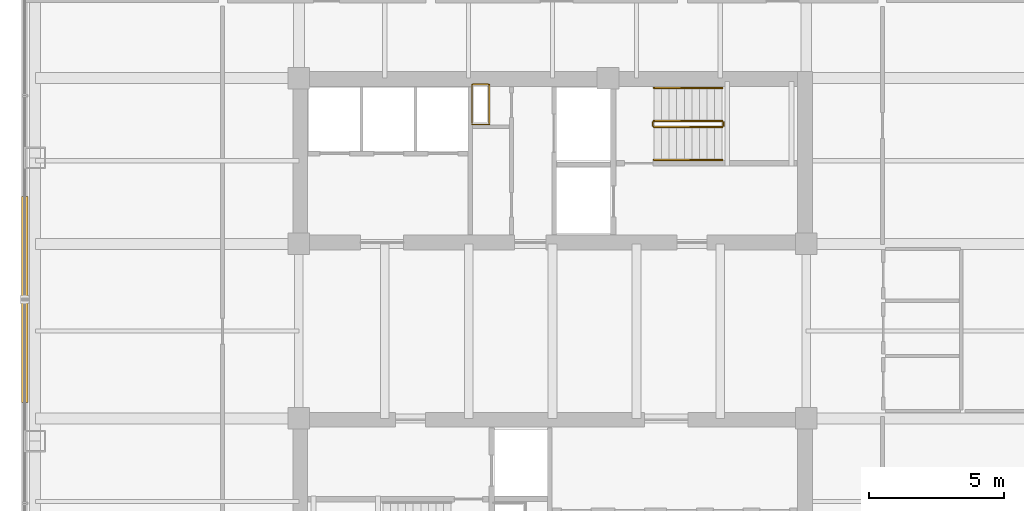
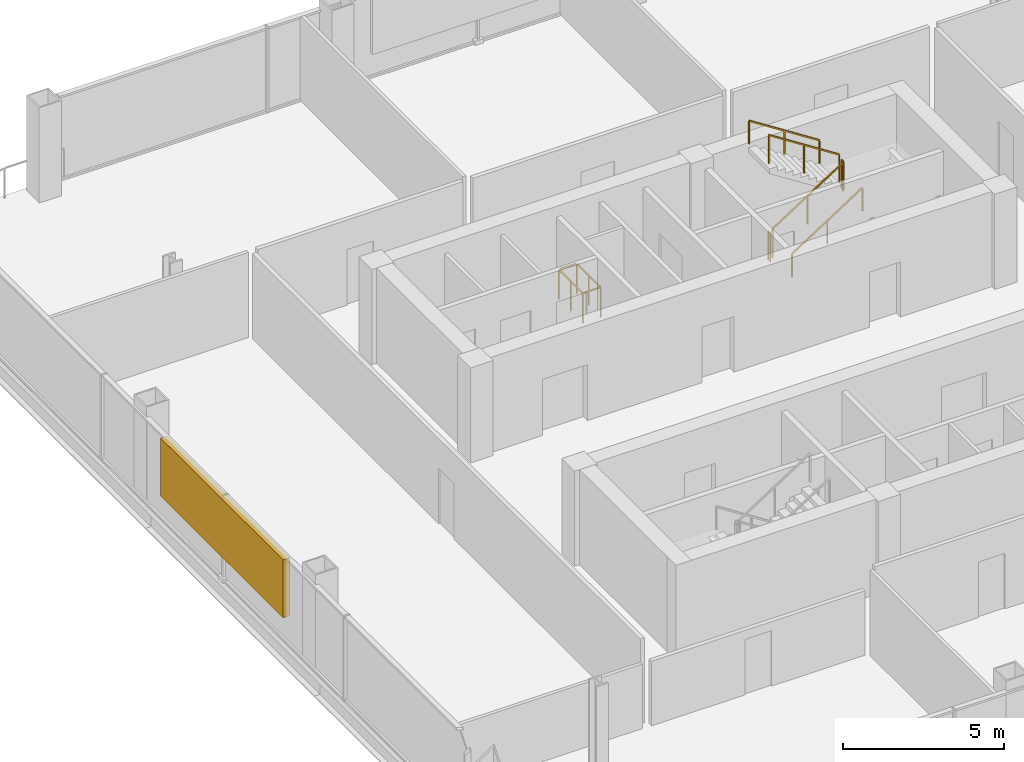
# One storey, part 23 of 24: 7 railings, 1 shading device.
"""IFC4 building model written with IfcOpenShell, lengths in metres."""

from ifc_helpers import new_model, si_unit, direction, frame, origin, origin_2d, place, context, subcontext, project, spatial, rectangle, extrude, material, type_object, element, save


model = new_model("IFC4")

# Units and contexts
model_context = context("Model", 3, precision=1e-05, world=origin(), true_north=direction((0.0, 1.0)))
body_context = subcontext(model_context, "Body", "Model", "MODEL_VIEW")
ifc_project = project(units=[si_unit("LENGTHUNIT", "METRE"), si_unit("AREAUNIT", "SQUARE_METRE"), si_unit("VOLUMEUNIT", "CUBIC_METRE"), si_unit("PLANEANGLEUNIT", "RADIAN"), si_unit("MASSUNIT", "GRAM", prefix="KILO")], contexts=[model_context])

# Site, building, storey
site_placement = place(None, origin())
site = spatial("IfcSite", under=ifc_project, at=site_placement, CompositionType="ELEMENT")
building_placement = place(site_placement, origin())
building = spatial("IfcBuilding", under=site, at=building_placement, Name="Qhalaya Broadcast Tower", CompositionType="ELEMENT")
storey_placement = place(building_placement, frame((0.0, 0.0, 61.5)))
storey = spatial("IfcBuildingStorey", under=building, at=storey_placement, Name="L17", CompositionType="ELEMENT", Elevation=61.5)

# Railings
ifc_material_1 = material(Name="Powder-Coated Galvanised Steel", Category="steel")
railing_type_1 = type_object("IfcRailingType", Name="Stair Wall Handrail 900", PredefinedType="HANDRAIL", material=ifc_material_1)
railing_1_placement = place(storey_placement, frame((3.75, 6.929931640625, 0.179931640625)))
element("IfcRailing", 1, at=railing_1_placement, inside=storey, type_object=railing_type_1, Name="L17 ST-1 Stair Handrail 1", PredefinedType="HANDRAIL", context=body_context, shape_type="SweptSolid", body=[
    extrude(rectangle(XDim=0.048095703125, YDim=0.048095703125, at=origin_2d()), frame((0.0, 0.0, 0.8759765625), z_axis=(0.841162588446, 0.0, 0.540782303519), x_axis=(0.0, 1.0, 0.0)), (0.0, 0.0, 1.0), 2.995849609375),
    extrude(rectangle(XDim=0.0419921875, YDim=0.0419921875, at=origin_2d()), origin(), (0.0, 0.0, 1.0), 0.849853515625),
    extrude(rectangle(XDim=0.0419921875, YDim=0.0419921875, at=origin_2d()), frame((1.260009765625, 0.0, 0.81005859375)), (0.0, 0.0, 1.0), 0.849853515625),
    extrude(rectangle(XDim=0.0419921875, YDim=0.0419921875, at=origin_2d()), frame((2.52001953125, 0.0, 1.6201171875)), (0.0, 0.0, 1.0), 0.849853515625),
])
railing_2_placement = place(storey_placement, frame((6.27001953125, 9.590087890625, 1.97998046875)))
element("IfcRailing", 2, at=railing_2_placement, inside=storey, type_object=railing_type_1, Name="L17 ST-1 Stair Handrail 2", PredefinedType="HANDRAIL", context=body_context, shape_type="SweptSolid", body=[
    extrude(rectangle(XDim=0.048095703125, YDim=0.048095703125, at=origin_2d()), frame((0.0, 0.0, 0.8759765625), z_axis=(-0.841162588446, 0.0, 0.540782303519), x_axis=(0.0, -1.0, 0.0)), (0.0, 0.0, 1.0), 2.995849609375),
    extrude(rectangle(XDim=0.0419921875, YDim=0.0419921875, at=origin_2d()), origin(), (0.0, 0.0, 1.0), 0.849853515625),
    extrude(rectangle(XDim=0.0419921875, YDim=0.0419921875, at=origin_2d()), frame((-1.260009765625, 0.0, 0.81005859375)), (0.0, 0.0, 1.0), 0.849853515625),
    extrude(rectangle(XDim=0.0419921875, YDim=0.0419921875, at=origin_2d()), frame((-2.52001953125, 0.0, 1.6201171875)), (0.0, 0.0, 1.0), 0.849853515625),
])
railing_type_2 = type_object("IfcRailingType", Name="Stair Well & Landing Guardrail 1100", PredefinedType="GUARDRAIL", material=ifc_material_1)
railing_3_placement = place(storey_placement, frame((-2.340087890625, 8.239990234375, 0.0)))
element("IfcRailing", 3, at=railing_3_placement, inside=storey, type_object=railing_type_2, Name="L17 Service Riser Opening Safety Guard NRSR", PredefinedType="GUARDRAIL", context=body_context, shape_type="SweptSolid", body=[
    extrude(rectangle(XDim=0.048095703125, YDim=0.048095703125, at=origin_2d()), frame((0.0, 0.02880859375, 1.1259765625), z_axis=(0.0, 1.0, 0.0), x_axis=(-1.0, 0.0, 0.0)), (0.0, 0.0, 1.0), 1.42236328125),
    extrude(rectangle(XDim=0.048095703125, YDim=0.048095703125, at=origin_2d()), frame((-0.02880859375, 1.47998046875, 1.1259765625), z_axis=(-1.0, 0.0, 0.0), x_axis=(0.0, -1.0, 0.0)), (0.0, 0.0, 1.0), 0.582275390625),
    extrude(rectangle(XDim=0.048095703125, YDim=0.048095703125, at=origin_2d()), frame((-0.639892578125, 1.451171875, 1.1259765625), z_axis=(0.0, -1.0, 0.0), x_axis=(1.0, 0.0, 0.0)), (0.0, 0.0, 1.0), 1.42236328125),
    extrude(rectangle(XDim=0.048095703125, YDim=0.048095703125, at=origin_2d()), frame((-0.611083984375, 0.0, 1.1259765625), z_axis=(1.0, 0.0, 0.0), x_axis=(0.0, 1.0, 0.0)), (0.0, 0.0, 1.0), 0.582275390625),
    extrude(rectangle(XDim=0.0419921875, YDim=0.0419921875, at=origin_2d()), origin(), (0.0, 0.0, 1.0), 1.099853515625),
    extrude(rectangle(XDim=0.0419921875, YDim=0.0419921875, at=origin_2d()), frame((0.0, 0.739990234375, 0.0)), (0.0, 0.0, 1.0), 1.099853515625),
    extrude(rectangle(XDim=0.0419921875, YDim=0.0419921875, at=origin_2d()), frame((0.0, 1.47998046875, 0.0)), (0.0, 0.0, 1.0), 1.099853515625),
    extrude(rectangle(XDim=0.0419921875, YDim=0.0419921875, at=origin_2d()), frame((-0.639892578125, 1.47998046875, 0.0)), (0.0, 0.0, 1.0), 1.099853515625),
    extrude(rectangle(XDim=0.0419921875, YDim=0.0419921875, at=origin_2d()), frame((-0.639892578125, 0.739990234375, 0.0)), (0.0, 0.0, 1.0), 1.099853515625),
    extrude(rectangle(XDim=0.0419921875, YDim=0.0419921875, at=origin_2d()), frame((-0.639892578125, 0.0, 0.0)), (0.0, 0.0, 1.0), 1.099853515625),
])
railing_4_placement = place(storey_placement, frame((3.75, 8.14990234375, 0.179931640625)))
element("IfcRailing", 4, at=railing_4_placement, inside=storey, type_object=railing_type_2, Name="L17 ST-1 Stair Guard 1", PredefinedType="GUARDRAIL", context=body_context, shape_type="SweptSolid", body=[
    extrude(rectangle(XDim=0.048095703125, YDim=0.048095703125, at=origin_2d()), frame((0.0, 0.0, 1.076171875), z_axis=(0.841162588446, 0.0, 0.540782303519), x_axis=(0.0, 1.0, 0.0)), (0.0, 0.0, 1.0), 2.995849609375),
    extrude(rectangle(XDim=0.0419921875, YDim=0.0419921875, at=origin_2d()), origin(), (0.0, 0.0, 1.0), 1.050048828125),
    extrude(rectangle(XDim=0.0419921875, YDim=0.0419921875, at=origin_2d()), frame((1.260009765625, 0.0, 0.81005859375)), (0.0, 0.0, 1.0), 1.050048828125),
    extrude(rectangle(XDim=0.0419921875, YDim=0.0419921875, at=origin_2d()), frame((2.52001953125, 0.0, 1.6201171875)), (0.0, 0.0, 1.0), 1.050048828125),
])
railing_5_placement = place(storey_placement, frame((6.320068359375, 8.199951171875, 1.800048828125)))
element("IfcRailing", 5, at=railing_5_placement, inside=storey, type_object=railing_type_2, Name="L17 ST-1 Stair Guard 2", PredefinedType="GUARDRAIL", context=body_context, shape_type="SweptSolid", body=[
    extrude(rectangle(XDim=0.048095703125, YDim=0.048095703125, at=origin_2d()), frame((0.0, 0.0, 1.076171875), z_axis=(0.0, 1.0, 0.0), x_axis=(-1.0, 0.0, 0.0)), (0.0, 0.0, 1.0), 0.1201171875),
    extrude(rectangle(XDim=0.0419921875, YDim=0.0419921875, at=origin_2d()), origin(), (0.0, 0.0, 1.0), 1.050048828125),
    extrude(rectangle(XDim=0.0419921875, YDim=0.0419921875, at=origin_2d()), frame((0.0, 0.1201171875, 0.0)), (0.0, 0.0, 1.0), 1.050048828125),
])
railing_6_placement = place(storey_placement, frame((6.27001953125, 8.3701171875, 1.97998046875)))
element("IfcRailing", 6, at=railing_6_placement, inside=storey, type_object=railing_type_2, Name="L17 ST-1 Stair Guard 3", PredefinedType="GUARDRAIL", context=body_context, shape_type="SweptSolid", body=[
    extrude(rectangle(XDim=0.048095703125, YDim=0.048095703125, at=origin_2d()), frame((0.0, 0.0, 1.076171875), z_axis=(-0.841162588446, 0.0, 0.540782303519), x_axis=(0.0, -1.0, 0.0)), (0.0, 0.0, 1.0), 2.995849609375),
    extrude(rectangle(XDim=0.0419921875, YDim=0.0419921875, at=origin_2d()), origin(), (0.0, 0.0, 1.0), 1.050048828125),
    extrude(rectangle(XDim=0.0419921875, YDim=0.0419921875, at=origin_2d()), frame((-1.260009765625, 0.0, 0.81005859375)), (0.0, 0.0, 1.0), 1.050048828125),
    extrude(rectangle(XDim=0.0419921875, YDim=0.0419921875, at=origin_2d()), frame((-2.52001953125, 0.0, 1.6201171875)), (0.0, 0.0, 1.0), 1.050048828125),
])
railing_7_placement = place(storey_placement, frame((3.699951171875, 8.199951171875, 0.0)))
element("IfcRailing", 7, at=railing_7_placement, inside=storey, type_object=railing_type_2, Name="L17 ST-1 Stair Guard 4", PredefinedType="GUARDRAIL", context=body_context, shape_type="SweptSolid", body=[
    extrude(rectangle(XDim=0.048095703125, YDim=0.048095703125, at=origin_2d()), frame((0.0, 0.0, 1.076171875), z_axis=(0.0, 1.0, 0.0), x_axis=(-1.0, 0.0, 0.0)), (0.0, 0.0, 1.0), 0.1201171875),
    extrude(rectangle(XDim=0.0419921875, YDim=0.0419921875, at=origin_2d()), origin(), (0.0, 0.0, 1.0), 1.050048828125),
    extrude(rectangle(XDim=0.0419921875, YDim=0.0419921875, at=origin_2d()), frame((0.0, 0.1201171875, 0.0)), (0.0, 0.0, 1.0), 1.050048828125),
])

# Shading device
ifc_material_2 = material(Name="Fired Architectural Terracotta", Category="masonry")
shading_device_type = type_object("IfcShadingDeviceType", Name="Terracotta Baguette Solar Screen Assembly TBS-01", PredefinedType="USERDEFINED", material=ifc_material_2)
shading_device_placement = place(storey_placement, frame((-19.510009765625, 1.77001953125, 0.9013671875), z_axis=(0.0, 0.0, 1.0), x_axis=(0.0, -1.0, 0.0)))
element("IfcShadingDevice", 8, at=shading_device_placement, inside=storey, type_object=shading_device_type, Name="L17 Fired Terracotta Baguette Screen W", ObjectType="BAGUETTE", PredefinedType="USERDEFINED", context=body_context, shape_type="SweptSolid", body=[
    extrude(rectangle(XDim=7.60009765625, YDim=0.239990234375, at=origin_2d()), origin(), (0.0, 0.0, 1.0), 2.18994140625),
])

save(model, "model.ifc")
